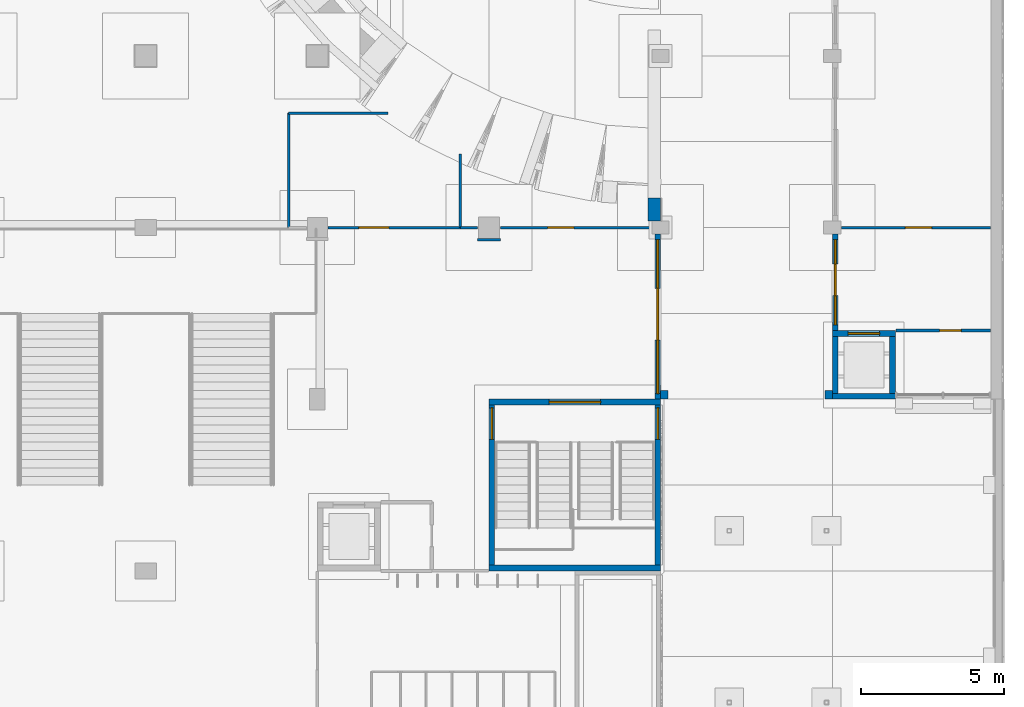
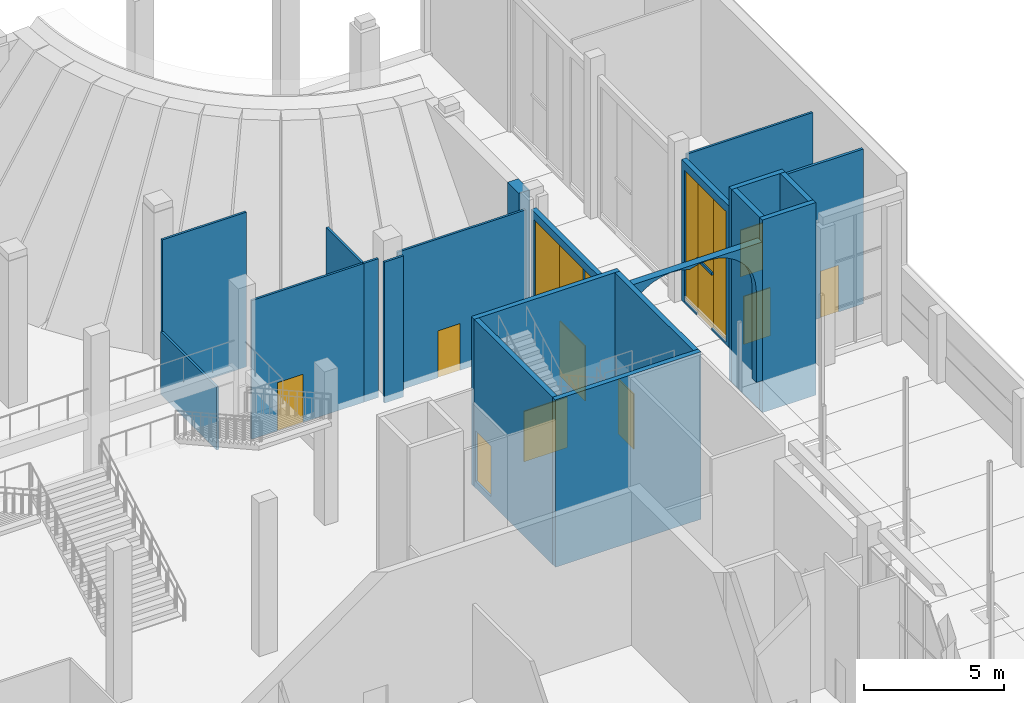
# One storey, part 51 of 95: 21 walls, 10 doors, 6 windows, 16 openings.
"""IFC4 building model written with IfcOpenShell, lengths in metres."""

from ifc_helpers import new_model, si_unit, direction, frame, frame_2d, origin, place, context, subcontext, project, spatial, polyline, rectangle, outline, extrude, material, layer, layer_set, type_object, element, fill, save


model = new_model("IFC4")

# Units and contexts
model_context = context("Model", 3, precision=1e-05, world=origin(), true_north=direction((0.0, 1.0)))
body_context = subcontext(model_context, "Body", "Model", "MODEL_VIEW")
ifc_project = project(units=[si_unit("LENGTHUNIT", "METRE"), si_unit("AREAUNIT", "SQUARE_METRE"), si_unit("VOLUMEUNIT", "CUBIC_METRE"), si_unit("PLANEANGLEUNIT", "RADIAN"), si_unit("MASSUNIT", "GRAM", prefix="KILO")], contexts=[model_context])

# Site, building, storey
site_placement = place(None, origin())
site = spatial("IfcSite", under=ifc_project, at=site_placement, CompositionType="ELEMENT")
building_placement = place(site_placement, origin())
building = spatial("IfcBuilding", under=site, at=building_placement, Name="Saffron Lane Theatres", CompositionType="ELEMENT")
storey_placement = place(building_placement, origin())
storey = spatial("IfcBuildingStorey", under=building, at=storey_placement, Name="L00", CompositionType="ELEMENT", Elevation=0.0)

# Wall
ifc_material_1 = material(Name="Masonry pale clay brick", Category="masonry")
ifc_layer_1 = layer(ifc_material_1, 0.300048828125)
ifc_layer_set_1 = layer_set([ifc_layer_1], Name="Masonry pale clay brick")
wall_type_1 = type_object("IfcWallType", Name="EX-ARCH SPANDREL BRICK 300", PredefinedType="SOLIDWALL", material=ifc_layer_set_1)
wall_1_placement = place(storey_placement, frame((54.0, 102.0, 6.050048828125), z_axis=(0.0, -1.0, 0.0), x_axis=(0.0, 0.0, -1.0)))
element("IfcWall", 1, at=wall_1_placement, inside=storey, type_object=wall_type_1, Name="Arcade arch spandrel 4", PredefinedType="SOLIDWALL", context=body_context, shape_type="SweptSolid", body=[
    extrude(outline(polyline([(0.0, 0.0), (6.050048828125, 0.0), (6.050048828125, 0.25), (2.050048828125, 0.25), (1.66015625, 0.2880859375), (1.283935546875, 0.39990234375), (0.93701171875, 0.58203125), (0.632080078125, 0.826904296875), (0.379150390625, 1.126953125), (0.18798828125, 1.468994140625), (0.067138671875, 1.842041015625), (0.01904296875, 2.23095703125), (0.047119140625, 2.6220703125), (0.150146484375, 3.0), (0.047119140625, 3.3779296875), (0.01904296875, 3.76904296875), (0.067138671875, 4.157958984375), (0.18798828125, 4.531005859375), (0.379150390625, 4.873046875), (0.632080078125, 5.173095703125), (0.93701171875, 5.41796875), (1.283935546875, 5.60009765625), (1.66015625, 5.7119140625), (2.050048828125, 5.75), (6.050048828125, 5.75), (6.050048828125, 6.0), (0.0, 6.0), (0.0, 0.0)])), origin(), (0.0, 0.0, -1.0), 0.300048828125),
])

# Wall, openings, door, windows
ifc_material_2 = material(Name="Aluminium", Category="aluminium")
ifc_layer_2 = layer(ifc_material_2, 0.199951171875)
ifc_layer_set_2 = layer_set([ifc_layer_2], Name="Aluminium")
wall_type_2 = type_object("IfcWallType", Name="EX-SCREEN ALUMINIUM 200", PredefinedType="SOLIDWALL", material=ifc_layer_set_2)
wall_2_placement = place(storey_placement, frame((53.89990234375, 107.77490234375, 0.0), z_axis=(0.0, 0.0, 1.0), x_axis=(0.0, -1.0, 0.0)))
wall_2 = element("IfcWall", 2, at=wall_2_placement, inside=storey, type_object=wall_type_2, Name="External wall L00 14", PredefinedType="SOLIDWALL", context=body_context, shape_type="SweptSolid", body=[
    extrude(rectangle(XDim=5.77490234375, YDim=0.199951171875, at=frame_2d((2.887451171875, 0.0))), origin(), (0.0, 0.0, 1.0), 6.14990234375),
])
opening_1_placement = place(wall_2_placement, frame((1.905029296875, 0.0, 0.0)))
opening_1 = element("IfcOpeningElement", 3, at=opening_1_placement, cuts=wall_2, Name="Opening ED00-06", PredefinedType="OPENING", context=body_context, shape_type="SweptSolid", body=[
    extrude(rectangle(XDim=1.800048828125, YDim=2.39990234375, at=frame_2d((0.89990234375, 1.199951171875))), frame((0.0, 0.10986328125, 0.0), z_axis=(0.0, -1.0, 0.0), x_axis=(1.0, 0.0, 0.0)), (0.0, 0.0, 1.0), 0.219970703125),
])
opening_2_placement = place(wall_2_placement, frame((1.905029296875, 0.0, 2.5)))
opening_2 = element("IfcOpeningElement", 4, at=opening_2_placement, cuts=wall_2, Name="Opening WN00-015", PredefinedType="OPENING", context=body_context, shape_type="SweptSolid", body=[
    extrude(rectangle(XDim=1.800048828125, YDim=3.300048828125, at=frame_2d((0.89990234375, 1.64990234375))), frame((0.0, 0.10986328125, 0.0), z_axis=(0.0, -1.0, 0.0), x_axis=(1.0, 0.0, 0.0)), (0.0, 0.0, 1.0), 0.219970703125),
])
opening_3_placement = place(wall_2_placement, frame((0.199951171875, 0.0, 0.10009765625)))
opening_3 = element("IfcOpeningElement", 5, at=opening_3_placement, cuts=wall_2, Name="Opening WN00-016", PredefinedType="OPENING", context=body_context, shape_type="SweptSolid", body=[
    extrude(rectangle(XDim=1.705078125, YDim=5.699951171875, at=frame_2d((0.8525390625, 2.85009765625))), frame((0.0, 0.10986328125, 0.0), z_axis=(0.0, -1.0, 0.0), x_axis=(1.0, 0.0, 0.0)), (0.0, 0.0, 1.0), 0.219970703125),
])
opening_4_placement = place(wall_2_placement, frame((3.705078125, 0.0, 0.10009765625)))
opening_4 = element("IfcOpeningElement", 6, at=opening_4_placement, cuts=wall_2, Name="Opening WN00-017", PredefinedType="OPENING", context=body_context, shape_type="SweptSolid", body=[
    extrude(rectangle(XDim=1.8701171875, YDim=5.699951171875, at=frame_2d((0.93505859375, 2.85009765625))), frame((0.0, 0.10986328125, 0.0), z_axis=(0.0, -1.0, 0.0), x_axis=(1.0, 0.0, 0.0)), (0.0, 0.0, 1.0), 0.219970703125),
])
ifc_material_3 = material(Name="Aluminium and glass door leaves", Category="aluminium")
door_type_1 = type_object("IfcDoorType", Name="EX-ENTRANCE DOOR PAIR 1800x2400", OperationType="DOUBLE_DOOR_SINGLE_SWING", PredefinedType="DOOR", material=ifc_material_3)
door_1_placement = place(opening_1_placement, origin())
door_1 = element("IfcDoor", 7, at=door_1_placement, inside=storey, type_object=door_type_1, Name="Main Foyer door", OperationType="DOUBLE_DOOR_SINGLE_SWING", OverallHeight=2.39990234375, OverallWidth=1.800048828125, PredefinedType="DOOR", context=body_context, shape_type="SweptSolid", body=[
    extrude(rectangle(XDim=1.800048828125, YDim=2.39990234375, at=frame_2d((0.89990234375, 1.199951171875))), frame((0.0, 0.02490234375, 0.0), z_axis=(0.0, -1.0, 0.0), x_axis=(1.0, 0.0, 0.0)), (0.0, 0.0, 1.0), 0.050048828125),
])
fill(opening_1, door_1)
ifc_material_4 = material(Name="Aluminium", Category="aluminium")
window_type_1 = type_object("IfcWindowType", Name="EX-WINDOW 1705x5700", PartitioningType="SINGLE_PANEL", PredefinedType="WINDOW", material=ifc_material_4)
window_1_placement = place(opening_3_placement, origin())
window_1 = element("IfcWindow", 8, at=window_1_placement, inside=storey, type_object=window_type_1, Name="Window L00 016", OverallHeight=5.699951171875, OverallWidth=1.705078125, PartitioningType="SINGLE_PANEL", PredefinedType="WINDOW", context=body_context, shape_type="SweptSolid", body=[
    extrude(rectangle(XDim=1.705078125, YDim=5.699951171875, at=frame_2d((0.8525390625, 2.85009765625))), frame((0.0, 0.030029296875, 0.0), z_axis=(0.0, -1.0, 0.0), x_axis=(1.0, 0.0, 0.0)), (0.0, 0.0, 1.0), 0.06005859375),
])
fill(opening_3, window_1)
ifc_material_5 = material(Name="Aluminium", Category="aluminium")
window_type_2 = type_object("IfcWindowType", Name="EX-WINDOW 1800x3300", PartitioningType="SINGLE_PANEL", PredefinedType="WINDOW", material=ifc_material_5)
window_2_placement = place(opening_2_placement, origin())
window_2 = element("IfcWindow", 9, at=window_2_placement, inside=storey, type_object=window_type_2, Name="Window L00 015", OverallHeight=3.300048828125, OverallWidth=1.800048828125, PartitioningType="SINGLE_PANEL", PredefinedType="WINDOW", context=body_context, shape_type="SweptSolid", body=[
    extrude(rectangle(XDim=1.800048828125, YDim=3.300048828125, at=frame_2d((0.89990234375, 1.64990234375))), frame((0.0, 0.030029296875, 0.0), z_axis=(0.0, -1.0, 0.0), x_axis=(1.0, 0.0, 0.0)), (0.0, 0.0, 1.0), 0.06005859375),
])
fill(opening_2, window_2)
ifc_material_6 = material(Name="Aluminium", Category="aluminium")
window_type_3 = type_object("IfcWindowType", Name="EX-WINDOW 1870x5700", PartitioningType="SINGLE_PANEL", PredefinedType="WINDOW", material=ifc_material_6)
window_3_placement = place(opening_4_placement, origin())
window_3 = element("IfcWindow", 10, at=window_3_placement, inside=storey, type_object=window_type_3, Name="Window L00 017", OverallHeight=5.699951171875, OverallWidth=1.8701171875, PartitioningType="SINGLE_PANEL", PredefinedType="WINDOW", context=body_context, shape_type="SweptSolid", body=[
    extrude(rectangle(XDim=1.8701171875, YDim=5.699951171875, at=frame_2d((0.93505859375, 2.85009765625))), frame((0.0, 0.030029296875, 0.0), z_axis=(0.0, -1.0, 0.0), x_axis=(1.0, 0.0, 0.0)), (0.0, 0.0, 1.0), 0.06005859375),
])
fill(opening_4, window_3)

wall_3_placement = place(storey_placement, frame((60.10009765625, 104.39990234375, 0.0), z_axis=(0.0, 0.0, 1.0), x_axis=(0.0, 1.0, 0.0)))
wall_3 = element("IfcWall", 11, at=wall_3_placement, inside=storey, type_object=wall_type_2, Name="External wall L00 27", PredefinedType="SOLIDWALL", context=body_context, shape_type="SweptSolid", body=[
    extrude(rectangle(XDim=3.375, YDim=0.199951171875, at=frame_2d((1.6875, 0.0))), origin(), (0.0, 0.0, 1.0), 6.14990234375),
])
opening_5_placement = place(wall_3_placement, frame((1.219970703125, 0.0, 0.0)))
opening_5 = element("IfcOpeningElement", 12, at=opening_5_placement, cuts=wall_3, Name="Opening ED00-12", PredefinedType="OPENING", context=body_context, shape_type="SweptSolid", body=[
    extrude(rectangle(XDim=1.10009765625, YDim=2.39990234375, at=frame_2d((0.550048828125, 1.199951171875))), frame((0.0, 0.10986328125, 0.0), z_axis=(0.0, -1.0, 0.0), x_axis=(1.0, 0.0, 0.0)), (0.0, 0.0, 1.0), 0.219970703125),
])
opening_6_placement = place(wall_3_placement, frame((1.219970703125, 0.0, 2.5)))
opening_6 = element("IfcOpeningElement", 13, at=opening_6_placement, cuts=wall_3, Name="Opening WN00-028", PredefinedType="OPENING", context=body_context, shape_type="SweptSolid", body=[
    extrude(rectangle(XDim=1.10009765625, YDim=3.300048828125, at=frame_2d((0.550048828125, 1.64990234375))), frame((0.0, 0.10986328125, 0.0), z_axis=(0.0, -1.0, 0.0), x_axis=(1.0, 0.0, 0.0)), (0.0, 0.0, 1.0), 0.219970703125),
])
opening_7_placement = place(wall_3_placement, frame((0.199951171875, 0.0, 0.10009765625)))
opening_7 = element("IfcOpeningElement", 14, at=opening_7_placement, cuts=wall_3, Name="Opening WN00-029", PredefinedType="OPENING", context=body_context, shape_type="SweptSolid", body=[
    extrude(rectangle(XDim=1.02001953125, YDim=5.699951171875, at=frame_2d((0.510009765625, 2.85009765625))), frame((0.0, 0.10986328125, 0.0), z_axis=(0.0, -1.0, 0.0), x_axis=(1.0, 0.0, 0.0)), (0.0, 0.0, 1.0), 0.219970703125),
])
opening_8_placement = place(wall_3_placement, frame((2.320068359375, 0.0, 0.10009765625)))
opening_8 = element("IfcOpeningElement", 15, at=opening_8_placement, cuts=wall_3, Name="Opening WN00-030", PredefinedType="OPENING", context=body_context, shape_type="SweptSolid", body=[
    extrude(rectangle(XDim=0.85498046875, YDim=5.699951171875, at=frame_2d((0.427490234375, 2.85009765625))), frame((0.0, 0.10986328125, 0.0), z_axis=(0.0, -1.0, 0.0), x_axis=(1.0, 0.0, 0.0)), (0.0, 0.0, 1.0), 0.219970703125),
])
ifc_material_7 = material(Name="Aluminium and glass door leaf", Category="aluminium")
door_type_2 = type_object("IfcDoorType", Name="EX-DOOR 1100x2400", OperationType="NOTDEFINED", PredefinedType="DOOR", material=ifc_material_7)
door_2_placement = place(opening_5_placement, origin())
door_2 = element("IfcDoor", 16, at=door_2_placement, inside=storey, type_object=door_type_2, Name="Lift Lobby LF8 door", OperationType="SINGLE_SWING_LEFT", OverallHeight=2.39990234375, OverallWidth=1.10009765625, PredefinedType="DOOR", context=body_context, shape_type="SweptSolid", body=[
    extrude(rectangle(XDim=1.10009765625, YDim=2.39990234375, at=frame_2d((0.550048828125, 1.199951171875))), frame((0.0, 0.02490234375, 0.0), z_axis=(0.0, -1.0, 0.0), x_axis=(1.0, 0.0, 0.0)), (0.0, 0.0, 1.0), 0.050048828125),
])
fill(opening_5, door_2)
ifc_material_8 = material(Name="Aluminium", Category="aluminium")
window_type_4 = type_object("IfcWindowType", Name="EX-WINDOW 1020x5700", PartitioningType="SINGLE_PANEL", PredefinedType="WINDOW", material=ifc_material_8)
window_4_placement = place(opening_7_placement, origin())
window_4 = element("IfcWindow", 17, at=window_4_placement, inside=storey, type_object=window_type_4, Name="Window L00 029", OverallHeight=5.699951171875, OverallWidth=1.02001953125, PartitioningType="SINGLE_PANEL", PredefinedType="WINDOW", context=body_context, shape_type="SweptSolid", body=[
    extrude(rectangle(XDim=1.02001953125, YDim=5.699951171875, at=frame_2d((0.510009765625, 2.85009765625))), frame((0.0, 0.030029296875, 0.0), z_axis=(0.0, -1.0, 0.0), x_axis=(1.0, 0.0, 0.0)), (0.0, 0.0, 1.0), 0.06005859375),
])
fill(opening_7, window_4)
ifc_material_9 = material(Name="Aluminium", Category="aluminium")
window_type_5 = type_object("IfcWindowType", Name="EX-WINDOW 1100x3300", PartitioningType="SINGLE_PANEL", PredefinedType="WINDOW", material=ifc_material_9)
window_5_placement = place(opening_6_placement, origin())
window_5 = element("IfcWindow", 18, at=window_5_placement, inside=storey, type_object=window_type_5, Name="Window L00 028", OverallHeight=3.300048828125, OverallWidth=1.10009765625, PartitioningType="SINGLE_PANEL", PredefinedType="WINDOW", context=body_context, shape_type="SweptSolid", body=[
    extrude(rectangle(XDim=1.10009765625, YDim=3.300048828125, at=frame_2d((0.550048828125, 1.64990234375))), frame((0.0, 0.030029296875, 0.0), z_axis=(0.0, -1.0, 0.0), x_axis=(1.0, 0.0, 0.0)), (0.0, 0.0, 1.0), 0.06005859375),
])
fill(opening_6, window_5)
ifc_material_10 = material(Name="Aluminium", Category="aluminium")
window_type_6 = type_object("IfcWindowType", Name="EX-WINDOW 855x5700", PartitioningType="SINGLE_PANEL", PredefinedType="WINDOW", material=ifc_material_10)
window_6_placement = place(opening_8_placement, origin())
window_6 = element("IfcWindow", 19, at=window_6_placement, inside=storey, type_object=window_type_6, Name="Window L00 030", OverallHeight=5.699951171875, OverallWidth=0.85498046875, PartitioningType="SINGLE_PANEL", PredefinedType="WINDOW", context=body_context, shape_type="SweptSolid", body=[
    extrude(rectangle(XDim=0.85498046875, YDim=5.699951171875, at=frame_2d((0.427490234375, 2.85009765625))), frame((0.0, 0.030029296875, 0.0), z_axis=(0.0, -1.0, 0.0), x_axis=(1.0, 0.0, 0.0)), (0.0, 0.0, 1.0), 0.06005859375),
])
fill(opening_8, window_6)

# Wall
ifc_material_11 = material(Name="Masonry pale clay brick", Category="masonry")
ifc_layer_3 = layer(ifc_material_11, 0.449951171875)
ifc_layer_set_3 = layer_set([ifc_layer_3], Name="Masonry pale clay brick")
wall_type_3 = type_object("IfcWallType", Name="EX-WALL BRICK 450", PredefinedType="SOLIDWALL", material=ifc_layer_set_3)
wall_4_placement = place(storey_placement, frame((53.77490234375, 109.03125, 0.0), z_axis=(0.0, 0.0, 1.0), x_axis=(0.0, -1.0, 0.0)))
element("IfcWall", 20, at=wall_4_placement, inside=storey, type_object=wall_type_3, Name="External wall L00 12", PredefinedType="SOLIDWALL", context=body_context, shape_type="SweptSolid", body=[
    extrude(rectangle(XDim=0.80615234375, YDim=0.449951171875, at=frame_2d((0.403076171875, 0.0))), origin(), (0.0, 0.0, 1.0), 6.64990234375),
])

# Wall, opening, door
ifc_material_12 = material(Name="Masonry block partition", Category="masonry")
ifc_layer_4 = layer(ifc_material_12, 0.110107421875)
ifc_layer_set_4 = layer_set([ifc_layer_4], Name="Masonry block partition")
wall_type_4 = type_object("IfcWallType", Name="IN-BLOCK PARTITION 110", PredefinedType="PARTITIONING", material=ifc_layer_set_4)
wall_5_placement = place(storey_placement, frame((62.219970703125, 104.39990234375, 0.0), z_axis=(0.0, 0.0, 1.0), x_axis=(1.0, 0.0, 0.0)))
wall_5 = element("IfcWall", 21, at=wall_5_placement, inside=storey, type_object=wall_type_4, Name="PW-L00-053", PredefinedType="PARTITIONING", context=body_context, shape_type="SweptSolid", body=[
    extrude(rectangle(XDim=3.300048828125, YDim=0.110107421875, at=frame_2d((1.64990234375, 0.0))), origin(), (0.0, 0.0, 1.0), 6.75),
])
opening_9_placement = place(wall_5_placement, frame((1.530029296875, 0.0, 0.0)))
opening_9 = element("IfcOpeningElement", 22, at=opening_9_placement, cuts=wall_5, Name="Opening D00-51", PredefinedType="OPENING", context=body_context, shape_type="SweptSolid", body=[
    extrude(rectangle(XDim=0.75, YDim=2.0400390625, at=frame_2d((0.375, 1.02001953125))), frame((0.0, 0.06494140625, 0.0), z_axis=(0.0, -1.0, 0.0), x_axis=(1.0, 0.0, 0.0)), (0.0, 0.0, 1.0), 0.130126953125),
])
ifc_material_13 = material(Name="Steel faced fire door leaf", Category="steel")
door_type_3 = type_object("IfcDoorType", Name="IN-DOOR 750x2040 FD60", OperationType="NOTDEFINED", PredefinedType="DOOR", material=ifc_material_13)
door_3_placement = place(opening_9_placement, frame((0.75, 0.0, 0.0), z_axis=(0.0, 0.0, 1.0), x_axis=(-1.0, 0.0, 0.0)))
door_3 = element("IfcDoor", 23, at=door_3_placement, inside=storey, type_object=door_type_3, Name="D00-51", OperationType="SINGLE_SWING_LEFT", OverallHeight=2.0400390625, OverallWidth=0.75, PredefinedType="DOOR", context=body_context, shape_type="SweptSolid", body=[
    extrude(rectangle(XDim=0.75, YDim=2.0400390625, at=frame_2d((0.375, 1.02001953125))), frame((0.0, 0.02490234375, 0.0), z_axis=(0.0, -1.0, 0.0), x_axis=(1.0, 0.0, 0.0)), (0.0, 0.0, 1.0), 0.050048828125),
])
fill(opening_9, door_3)

# Walls
ifc_material_14 = material(Name="Plasterboard on 90 mm steel studs", Category="steel")
ifc_layer_5 = layer(ifc_material_14, 0.090087890625)
ifc_layer_set_5 = layer_set([ifc_layer_5], Name="Plasterboard on 90 mm steel studs")
wall_type_5 = type_object("IfcWallType", Name="IN-STUD PARTITION 090", PredefinedType="PARTITIONING", material=ifc_layer_set_5)
wall_6_placement = place(storey_placement, frame((41.0, 112.0, 0.0), z_axis=(0.0, 0.0, 1.0), x_axis=(1.0, 0.0, 0.0)))
element("IfcWall", 24, at=wall_6_placement, inside=storey, type_object=wall_type_5, Name="PW-L00-113", PredefinedType="PARTITIONING", context=body_context, shape_type="SweptSolid", body=[
    extrude(rectangle(XDim=3.47509765625, YDim=0.090087890625, at=frame_2d((1.737548828125, 0.0))), origin(), (0.0, 0.0, 1.0), 6.75),
])
wall_7_placement = place(storey_placement, frame((41.0, 108.0, 0.0), z_axis=(0.0, 0.0, 1.0), x_axis=(0.0, 1.0, 0.0)))
element("IfcWall", 25, at=wall_7_placement, inside=storey, type_object=wall_type_5, Name="PW-L00-114", PredefinedType="PARTITIONING", context=body_context, shape_type="SweptSolid", body=[
    extrude(rectangle(XDim=4.0, YDim=0.090087890625, at=frame_2d((2.0, 0.0))), origin(), (0.0, 0.0, 1.0), 2.75),
])

# Wall, opening, door
wall_8_placement = place(storey_placement, frame((42.3701171875, 108.0, 0.0), z_axis=(0.0, 0.0, 1.0), x_axis=(1.0, 0.0, 0.0)))
wall_8 = element("IfcWall", 26, at=wall_8_placement, inside=storey, type_object=wall_type_5, Name="PW-L00-116", PredefinedType="PARTITIONING", context=body_context, shape_type="SweptSolid", body=[
    extrude(rectangle(XDim=4.6298828125, YDim=0.090087890625, at=frame_2d((2.31494140625, 0.0))), origin(), (0.0, 0.0, 1.0), 6.050048828125),
])
opening_10_placement = place(wall_8_placement, frame((1.080078125, 0.0, 0.0)))
opening_10 = element("IfcOpeningElement", 27, at=opening_10_placement, cuts=wall_8, Name="Opening D00-05", PredefinedType="OPENING", context=body_context, shape_type="SweptSolid", body=[
    extrude(rectangle(XDim=1.050048828125, YDim=2.10009765625, at=frame_2d((0.52490234375, 1.050048828125))), frame((0.0, 0.05517578125, 0.0), z_axis=(0.0, -1.0, 0.0), x_axis=(1.0, 0.0, 0.0)), (0.0, 0.0, 1.0), 0.110107421875),
])
ifc_material_15 = material(Name="Timber door leaf", Category="wood")
door_type_4 = type_object("IfcDoorType", Name="IN-DOOR 1050x2100", OperationType="NOTDEFINED", PredefinedType="DOOR", material=ifc_material_15)
door_4_placement = place(opening_10_placement, origin())
door_4 = element("IfcDoor", 28, at=door_4_placement, inside=storey, type_object=door_type_4, Name="D00-05", OperationType="SINGLE_SWING_LEFT", OverallHeight=2.10009765625, OverallWidth=1.050048828125, PredefinedType="DOOR", context=body_context, shape_type="SweptSolid", body=[
    extrude(rectangle(XDim=1.050048828125, YDim=2.10009765625, at=frame_2d((0.52490234375, 1.050048828125))), frame((0.0, 0.02490234375, 0.0), z_axis=(0.0, -1.0, 0.0), x_axis=(1.0, 0.0, 0.0)), (0.0, 0.0, 1.0), 0.050048828125),
])
fill(opening_10, door_4)

# Wall
wall_9_placement = place(storey_placement, frame((47.0, 108.0, 0.0), z_axis=(0.0, 0.0, 1.0), x_axis=(1.0, 0.0, 0.0)))
element("IfcWall", 29, at=wall_9_placement, inside=storey, type_object=wall_type_5, Name="PW-L00-119", PredefinedType="PARTITIONING", context=body_context, shape_type="SweptSolid", body=[
    extrude(rectangle(XDim=0.60498046875, YDim=0.090087890625, at=frame_2d((0.302490234375, 0.0))), origin(), (0.0, 0.0, 1.0), 6.050048828125),
])

# Wall, opening, door
wall_10_placement = place(storey_placement, frame((48.39501953125, 108.0, 0.0), z_axis=(0.0, 0.0, 1.0), x_axis=(1.0, 0.0, 0.0)))
wall_10 = element("IfcWall", 30, at=wall_10_placement, inside=storey, type_object=wall_type_5, Name="PW-L00-120", PredefinedType="PARTITIONING", context=body_context, shape_type="SweptSolid", body=[
    extrude(rectangle(XDim=5.284912109375, YDim=0.090087890625, at=frame_2d((2.642578125, 0.0))), origin(), (0.0, 0.0, 1.0), 6.050048828125),
])
opening_11_placement = place(wall_10_placement, frame((1.655029296875, 0.0, 0.0)))
opening_11 = element("IfcOpeningElement", 31, at=opening_11_placement, cuts=wall_10, Name="Opening D00-06", PredefinedType="OPENING", context=body_context, shape_type="SweptSolid", body=[
    extrude(rectangle(XDim=0.919921875, YDim=2.0400390625, at=frame_2d((0.4599609375, 1.02001953125))), frame((0.0, 0.05517578125, 0.0), z_axis=(0.0, -1.0, 0.0), x_axis=(1.0, 0.0, 0.0)), (0.0, 0.0, 1.0), 0.110107421875),
])
ifc_material_16 = material(Name="Timber door leaf", Category="wood")
door_type_5 = type_object("IfcDoorType", Name="IN-DOOR 920x2040", OperationType="NOTDEFINED", PredefinedType="DOOR", material=ifc_material_16)
door_5_placement = place(opening_11_placement, origin())
door_5 = element("IfcDoor", 32, at=door_5_placement, inside=storey, type_object=door_type_5, Name="D00-06", OperationType="SINGLE_SWING_RIGHT", OverallHeight=2.0400390625, OverallWidth=0.919921875, PredefinedType="DOOR", context=body_context, shape_type="SweptSolid", body=[
    extrude(rectangle(XDim=0.919921875, YDim=2.0400390625, at=frame_2d((0.4599609375, 1.02001953125))), frame((0.0, 0.02490234375, 0.0), z_axis=(0.0, -1.0, 0.0), x_axis=(1.0, 0.0, 0.0)), (0.0, 0.0, 1.0), 0.050048828125),
])
fill(opening_11, door_5)

# Walls
wall_11_placement = place(storey_placement, frame((47.60498046875, 107.574951171875, 0.0), z_axis=(0.0, 0.0, 1.0), x_axis=(1.0, 0.0, 0.0)))
element("IfcWall", 33, at=wall_11_placement, inside=storey, type_object=wall_type_5, Name="PW-L00-121", PredefinedType="PARTITIONING", context=body_context, shape_type="SweptSolid", body=[
    extrude(rectangle(XDim=0.7900390625, YDim=0.090087890625, at=frame_2d((0.39501953125, 0.0))), origin(), (0.0, 0.0, 1.0), 6.14990234375),
])
wall_12_placement = place(storey_placement, frame((47.0, 108.0, 0.0), z_axis=(0.0, 0.0, 1.0), x_axis=(0.0, 1.0, 0.0)))
element("IfcWall", 34, at=wall_12_placement, inside=storey, type_object=wall_type_5, Name="PW-L00-122", PredefinedType="PARTITIONING", context=body_context, shape_type="SweptSolid", body=[
    extrude(rectangle(XDim=2.572509765625, YDim=0.090087890625, at=frame_2d((1.2861328125, 0.0))), origin(), (0.0, 0.0, 1.0), 6.050048828125),
])

# Wall, opening, door
wall_13_placement = place(storey_placement, frame((60.320068359375, 108.0, 0.0), z_axis=(0.0, 0.0, 1.0), x_axis=(1.0, 0.0, 0.0)))
wall_13 = element("IfcWall", 35, at=wall_13_placement, inside=storey, type_object=wall_type_5, Name="PW-L00-123", PredefinedType="PARTITIONING", context=body_context, shape_type="SweptSolid", body=[
    extrude(rectangle(XDim=5.199951171875, YDim=0.090087890625, at=frame_2d((2.60009765625, 0.0))), origin(), (0.0, 0.0, 1.0), 6.14990234375),
])
opening_12_placement = place(wall_13_placement, frame((2.22998046875, 0.0, 0.0)))
opening_12 = element("IfcOpeningElement", 36, at=opening_12_placement, cuts=wall_13, Name="Opening D00-03", PredefinedType="OPENING", context=body_context, shape_type="SweptSolid", body=[
    extrude(rectangle(XDim=0.919921875, YDim=2.0400390625, at=frame_2d((0.4599609375, 1.02001953125))), frame((0.0, 0.05517578125, 0.0), z_axis=(0.0, -1.0, 0.0), x_axis=(1.0, 0.0, 0.0)), (0.0, 0.0, 1.0), 0.110107421875),
])
door_6_placement = place(opening_12_placement, origin())
door_6 = element("IfcDoor", 37, at=door_6_placement, inside=storey, type_object=door_type_5, Name="D00-03", OperationType="SINGLE_SWING_LEFT", OverallHeight=2.0400390625, OverallWidth=0.919921875, PredefinedType="DOOR", context=body_context, shape_type="SweptSolid", body=[
    extrude(rectangle(XDim=0.919921875, YDim=2.0400390625, at=frame_2d((0.4599609375, 1.02001953125))), frame((0.0, 0.02490234375, 0.0), z_axis=(0.0, -1.0, 0.0), x_axis=(1.0, 0.0, 0.0)), (0.0, 0.0, 1.0), 0.050048828125),
])
fill(opening_12, door_6)

ifc_material_17 = material(Name="Concrete N50 (50 MPa)", Category="concrete")
ifc_layer_6 = layer(ifc_material_17, 0.199951171875)
ifc_layer_set_6 = layer_set([ifc_layer_6], Name="Concrete N50 (50 MPa)")
wall_type_6 = type_object("IfcWallType", Name="RC-CORE 200", PredefinedType="SHEAR", material=ifc_layer_set_6)
wall_14_placement = place(storey_placement, frame((48.0, 101.89990234375, -0.300048828125), z_axis=(0.0, 0.0, 1.0), x_axis=(1.0, 0.0, 0.0)))
wall_14 = element("IfcWall", 38, at=wall_14_placement, inside=storey, type_object=wall_type_6, Name="W-ST2-N-L00", PredefinedType="SHEAR", context=body_context, shape_type="SweptSolid", body=[
    extrude(rectangle(XDim=6.0, YDim=0.199951171875, at=frame_2d((3.0, 0.0))), origin(), (0.0, 0.0, 1.0), 7.300048828125),
])
opening_13_placement = place(wall_14_placement, frame((2.10009765625, 0.0, 0.300048828125)))
opening_13 = element("IfcOpeningElement", 39, at=opening_13_placement, cuts=wall_14, Name="Opening D00-33", PredefinedType="OPENING", context=body_context, shape_type="SweptSolid", body=[
    extrude(rectangle(XDim=1.800048828125, YDim=2.199951171875, at=frame_2d((0.89990234375, 1.10009765625))), frame((0.0, 0.10986328125, 0.0), z_axis=(0.0, -1.0, 0.0), x_axis=(1.0, 0.0, 0.0)), (0.0, 0.0, 1.0), 0.219970703125),
])
ifc_material_18 = material(Name="Steel faced fire door leaf", Category="steel")
door_type_6 = type_object("IfcDoorType", Name="IN-DOOR 1800x2200 FD120", OperationType="DOUBLE_DOOR_SINGLE_SWING", PredefinedType="DOOR", material=ifc_material_18)
door_7_placement = place(opening_13_placement, frame((1.800048828125, 0.0, 0.0), z_axis=(0.0, 0.0, 1.0), x_axis=(-1.0, 0.0, 0.0)))
door_7 = element("IfcDoor", 40, at=door_7_placement, inside=storey, type_object=door_type_6, Name="D00-33", OperationType="DOUBLE_DOOR_SINGLE_SWING", OverallHeight=2.199951171875, OverallWidth=1.800048828125, PredefinedType="DOOR", context=body_context, shape_type="SweptSolid", body=[
    extrude(rectangle(XDim=1.800048828125, YDim=2.199951171875, at=frame_2d((0.89990234375, 1.10009765625))), frame((0.0, 0.02490234375, 0.0), z_axis=(0.0, -1.0, 0.0), x_axis=(1.0, 0.0, 0.0)), (0.0, 0.0, 1.0), 0.050048828125),
])
fill(opening_13, door_7)

# Wall
wall_15_placement = place(storey_placement, frame((48.0, 96.10009765625, -0.300048828125), z_axis=(0.0, 0.0, 1.0), x_axis=(1.0, 0.0, 0.0)))
element("IfcWall", 41, at=wall_15_placement, inside=storey, type_object=wall_type_6, Name="W-ST2-S-L00", PredefinedType="SHEAR", context=body_context, shape_type="SweptSolid", body=[
    extrude(rectangle(XDim=6.0, YDim=0.199951171875, at=frame_2d((3.0, 0.0))), origin(), (0.0, 0.0, 1.0), 7.300048828125),
])

# Wall, opening, door
wall_16_placement = place(storey_placement, frame((48.10009765625, 96.199951171875, -0.300048828125), z_axis=(0.0, 0.0, 1.0), x_axis=(0.0, 1.0, 0.0)))
wall_16 = element("IfcWall", 42, at=wall_16_placement, inside=storey, type_object=wall_type_6, Name="W-ST2-W-L00", PredefinedType="SHEAR", context=body_context, shape_type="SweptSolid", body=[
    extrude(rectangle(XDim=5.60009765625, YDim=0.199951171875, at=frame_2d((2.800048828125, 0.0))), origin(), (0.0, 0.0, 1.0), 7.300048828125),
])
opening_14_placement = place(wall_16_placement, frame((4.39990234375, 0.0, 0.300048828125)))
opening_14 = element("IfcOpeningElement", 43, at=opening_14_placement, cuts=wall_16, Name="Opening D00-34", PredefinedType="OPENING", context=body_context, shape_type="SweptSolid", body=[
    extrude(rectangle(XDim=1.10009765625, YDim=2.199951171875, at=frame_2d((0.550048828125, 1.10009765625))), frame((0.0, 0.10986328125, 0.0), z_axis=(0.0, -1.0, 0.0), x_axis=(1.0, 0.0, 0.0)), (0.0, 0.0, 1.0), 0.219970703125),
])
ifc_material_19 = material(Name="Steel faced fire door leaf", Category="steel")
door_type_7 = type_object("IfcDoorType", Name="IN-DOOR 1100x2200 FD120", OperationType="NOTDEFINED", PredefinedType="DOOR", material=ifc_material_19)
door_8_placement = place(opening_14_placement, frame((1.10009765625, 0.0, 0.0), z_axis=(0.0, 0.0, 1.0), x_axis=(-1.0, 0.0, 0.0)))
door_8 = element("IfcDoor", 44, at=door_8_placement, inside=storey, type_object=door_type_7, Name="D00-34", OperationType="SINGLE_SWING_RIGHT", OverallHeight=2.199951171875, OverallWidth=1.10009765625, PredefinedType="DOOR", context=body_context, shape_type="SweptSolid", body=[
    extrude(rectangle(XDim=1.10009765625, YDim=2.199951171875, at=frame_2d((0.550048828125, 1.10009765625))), frame((0.0, 0.02490234375, 0.0), z_axis=(0.0, -1.0, 0.0), x_axis=(1.0, 0.0, 0.0)), (0.0, 0.0, 1.0), 0.050048828125),
])
fill(opening_14, door_8)

wall_17_placement = place(storey_placement, frame((60.0, 104.300048828125, -1.39990234375), z_axis=(0.0, 0.0, 1.0), x_axis=(1.0, 0.0, 0.0)))
wall_17 = element("IfcWall", 45, at=wall_17_placement, inside=storey, type_object=wall_type_6, Name="W-LC8-N-L00", PredefinedType="SHEAR", context=body_context, shape_type="SweptSolid", body=[
    extrude(rectangle(XDim=2.199951171875, YDim=0.199951171875, at=frame_2d((1.10009765625, 0.0))), origin(), (0.0, 0.0, 1.0), 8.39990234375),
])
opening_15_placement = place(wall_17_placement, frame((0.550048828125, 0.0, 1.39990234375)))
opening_15 = element("IfcOpeningElement", 46, at=opening_15_placement, cuts=wall_17, Name="Opening LD26", PredefinedType="OPENING", context=body_context, shape_type="SweptSolid", body=[
    extrude(rectangle(XDim=1.10009765625, YDim=2.10009765625, at=frame_2d((0.550048828125, 1.050048828125))), frame((0.0, 0.10986328125, 0.0), z_axis=(0.0, -1.0, 0.0), x_axis=(1.0, 0.0, 0.0)), (0.0, 0.0, 1.0), 0.219970703125),
])
ifc_material_20 = material(Name="Stainless steel 316", Category="steel")
door_type_8 = type_object("IfcDoorType", Name="VC-LANDING DOOR 1100x2100", OperationType="DOUBLE_DOOR_SLIDING", PredefinedType="DOOR", material=ifc_material_20)
door_9_placement = place(opening_15_placement, origin())
door_9 = element("IfcDoor", 47, at=door_9_placement, inside=storey, type_object=door_type_8, Name="Landing doors LC8 L00", OperationType="DOUBLE_DOOR_SLIDING", OverallHeight=2.10009765625, OverallWidth=1.10009765625, PredefinedType="DOOR", context=body_context, shape_type="SweptSolid", body=[
    extrude(rectangle(XDim=1.10009765625, YDim=2.10009765625, at=frame_2d((0.550048828125, 1.050048828125))), frame((0.0, 0.02490234375, 0.0), z_axis=(0.0, -1.0, 0.0), x_axis=(1.0, 0.0, 0.0)), (0.0, 0.0, 1.0), 0.050048828125),
])
fill(opening_15, door_9)

# Wall
wall_18_placement = place(storey_placement, frame((62.10009765625, 102.199951171875, -1.39990234375), z_axis=(0.0, 0.0, 1.0), x_axis=(0.0, 1.0, 0.0)))
element("IfcWall", 48, at=wall_18_placement, inside=storey, type_object=wall_type_6, Name="W-LC8-E-L00", PredefinedType="SHEAR", context=body_context, shape_type="SweptSolid", body=[
    extrude(rectangle(XDim=2.0, YDim=0.199951171875, at=frame_2d((1.0, 0.0))), origin(), (0.0, 0.0, 1.0), 8.39990234375),
])

# Wall, opening, door
ifc_material_21 = material(Name="Concrete N50 (50 MPa)", Category="concrete")
ifc_layer_7 = layer(ifc_material_21, 0.199951171875)
ifc_layer_set_7 = layer_set([ifc_layer_7], Name="Concrete N50 (50 MPa)")
wall_type_7 = type_object("IfcWallType", Name="RC-CORE EXTERNAL 200", PredefinedType="SHEAR", material=ifc_layer_set_7)
wall_19_placement = place(storey_placement, frame((53.89990234375, 96.199951171875, -0.300048828125), z_axis=(0.0, 0.0, 1.0), x_axis=(0.0, 1.0, 0.0)))
wall_19 = element("IfcWall", 49, at=wall_19_placement, inside=storey, type_object=wall_type_7, Name="W-ST2-E-L00", PredefinedType="SHEAR", context=body_context, shape_type="SweptSolid", body=[
    extrude(rectangle(XDim=5.60009765625, YDim=0.199951171875, at=frame_2d((2.800048828125, 0.0))), origin(), (0.0, 0.0, 1.0), 7.300048828125),
])
opening_16_placement = place(wall_19_placement, frame((4.39990234375, 0.0, 0.300048828125)))
opening_16 = element("IfcOpeningElement", 50, at=opening_16_placement, cuts=wall_19, Name="Opening EDST2", PredefinedType="OPENING", context=body_context, shape_type="SweptSolid", body=[
    extrude(rectangle(XDim=1.10009765625, YDim=2.39990234375, at=frame_2d((0.550048828125, 1.199951171875))), frame((0.0, 0.10986328125, 0.0), z_axis=(0.0, -1.0, 0.0), x_axis=(1.0, 0.0, 0.0)), (0.0, 0.0, 1.0), 0.219970703125),
])
ifc_material_22 = material(Name="Steel faced fire door leaf", Category="steel")
door_type_9 = type_object("IfcDoorType", Name="EX-EXIT DOOR PAIR 1800x2400", OperationType="DOUBLE_DOOR_SINGLE_SWING", PredefinedType="DOOR", material=ifc_material_22)
door_10_placement = place(opening_16_placement, frame((1.10009765625, 0.0, 0.0), z_axis=(0.0, 0.0, 1.0), x_axis=(-1.0, 0.0, 0.0)))
door_10 = element("IfcDoor", 51, at=door_10_placement, inside=storey, type_object=door_type_9, Name="Exit door ST2", OperationType="DOUBLE_DOOR_SINGLE_SWING", OverallHeight=2.39990234375, OverallWidth=1.10009765625, PredefinedType="DOOR", context=body_context, shape_type="SweptSolid", body=[
    extrude(rectangle(XDim=1.10009765625, YDim=2.39990234375, at=frame_2d((0.550048828125, 1.199951171875))), frame((0.0, 0.02490234375, 0.0), z_axis=(0.0, -1.0, 0.0), x_axis=(1.0, 0.0, 0.0)), (0.0, 0.0, 1.0), 0.050048828125),
])
fill(opening_16, door_10)

# Walls
wall_20_placement = place(storey_placement, frame((60.0, 102.10009765625, -1.39990234375), z_axis=(0.0, 0.0, 1.0), x_axis=(1.0, 0.0, 0.0)))
element("IfcWall", 52, at=wall_20_placement, inside=storey, type_object=wall_type_7, Name="W-LC8-S-L00", PredefinedType="SHEAR", context=body_context, shape_type="SweptSolid", body=[
    extrude(rectangle(XDim=2.199951171875, YDim=0.199951171875, at=frame_2d((1.10009765625, 0.0))), origin(), (0.0, 0.0, 1.0), 8.39990234375),
])
wall_21_placement = place(storey_placement, frame((60.10009765625, 102.199951171875, -1.39990234375), z_axis=(0.0, 0.0, 1.0), x_axis=(0.0, 1.0, 0.0)))
element("IfcWall", 53, at=wall_21_placement, inside=storey, type_object=wall_type_7, Name="W-LC8-W-L00", PredefinedType="SHEAR", context=body_context, shape_type="SweptSolid", body=[
    extrude(rectangle(XDim=2.0, YDim=0.199951171875, at=frame_2d((1.0, 0.0))), origin(), (0.0, 0.0, 1.0), 8.39990234375),
])

save(model, "model.ifc")
